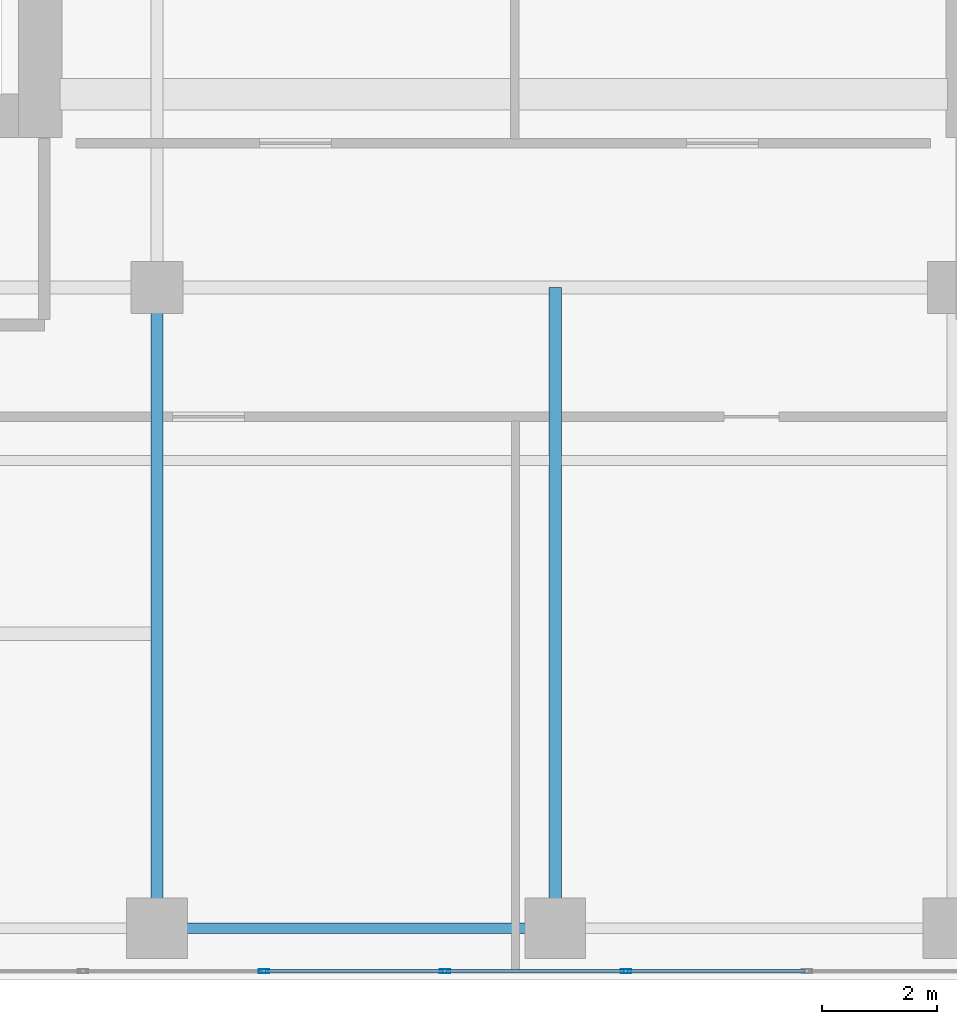
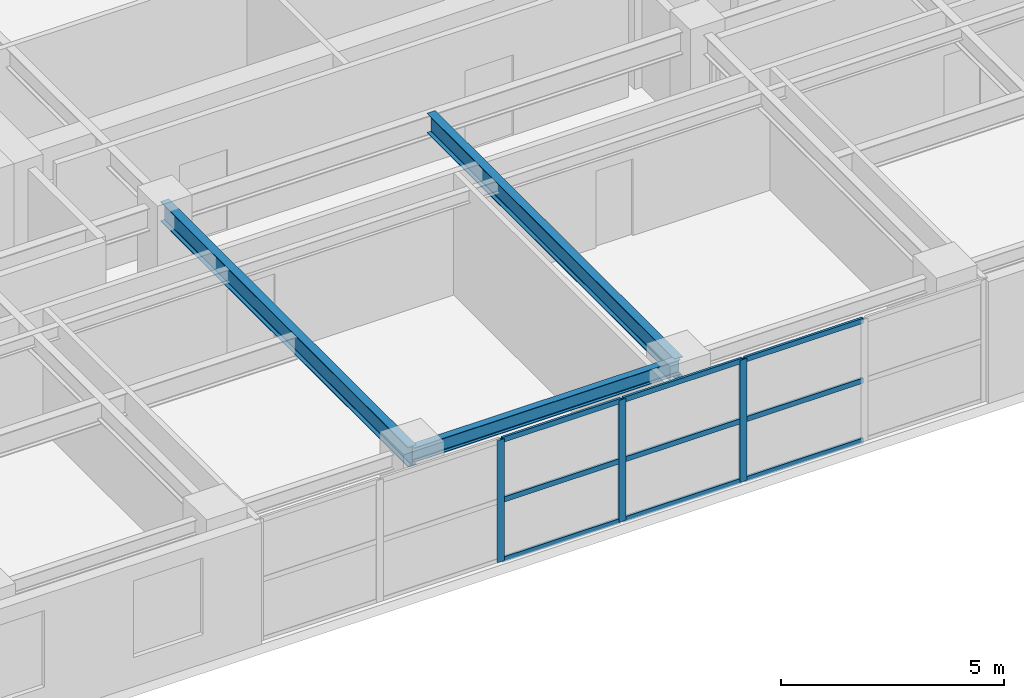
# One storey, part 4 of 18: 12 members, 3 beams, 1 element without a shape of its own.
"""IFC4 building model written with IfcOpenShell, lengths in metres."""

from ifc_helpers import new_model, si_unit, direction, frame, origin, origin_2d, place, context, subcontext, project, spatial, hollow_rectangle, i_section, extrude, source, transform, mapped, material, layer, layer_set, material_profile, profile_set, type_object, element, aggregate, save


model = new_model("IFC4")

# Units and contexts
model_context = context("Model", 3, precision=1e-05, world=origin(), true_north=direction((0.0, 1.0)))
body_context = subcontext(model_context, "Body", "Model", "MODEL_VIEW")
ifc_project = project(units=[si_unit("LENGTHUNIT", "METRE"), si_unit("AREAUNIT", "SQUARE_METRE"), si_unit("VOLUMEUNIT", "CUBIC_METRE"), si_unit("PLANEANGLEUNIT", "RADIAN"), si_unit("MASSUNIT", "GRAM", prefix="KILO")], contexts=[model_context])

# Site, building, storey
site_placement = place(None, origin())
site = spatial("IfcSite", under=ifc_project, at=site_placement, CompositionType="ELEMENT")
building_placement = place(site_placement, origin())
building = spatial("IfcBuilding", under=site, at=building_placement, Name="Khoralis Quay Care Tower", CompositionType="ELEMENT")
storey_placement = place(building_placement, frame((0.0, 0.0, 130.5)))
storey = spatial("IfcBuildingStorey", under=building, at=storey_placement, Name="L34", CompositionType="ELEMENT", Elevation=130.5)

# Beams
ifc_material_1 = material(Name="Steel S355", Category="steel")
ifc_material_profile_1 = material_profile(ifc_material_1, i_section(OverallWidth=0.179931640625, OverallDepth=0.39990234375, WebThickness=0.008544921875, FlangeThickness=0.013427734375, FilletRadius=0.02099609375, at=origin_2d()), Name="Steel S355")
ifc_profile_set_1 = profile_set([ifc_material_profile_1], Name="Steel S355")
beam_type_1 = type_object("IfcBeamType", Name="BM-IPE400", PredefinedType="SPANDREL", material=ifc_profile_set_1)
shared_shape_1 = source(origin(), body_context, "Body", "SweptSolid", [
    extrude(i_section(OverallWidth=0.179931640625, OverallDepth=0.39990234375, WebThickness=0.008544921875, FlangeThickness=0.013427734375, FilletRadius=0.02099609375, at=origin_2d()), origin(), (0.0, 0.0, 1.0), 6.89990234375),
])
beam_placement = place(storey_placement, frame((17.10009765625, 0.89990234375, 3.139892578125), z_axis=(1.0, 0.0, 0.0), x_axis=(0.0, 1.0, 0.0)))
element("IfcBeam", 1, at=beam_placement, inside=storey, type_object=beam_type_1, Name="BM-TSP-L34-03", PredefinedType="SPANDREL", context=body_context, shape_type="MappedRepresentation", body=[
    mapped(shared_shape_1, transform((0.0, 0.0, 0.0), scale=1.0)),
])
ifc_material_profile_2 = material_profile(ifc_material_1, i_section(OverallWidth=0.2119140625, OverallDepth=0.5439453125, WebThickness=0.01318359375, FlangeThickness=0.021240234375, FilletRadius=0.01611328125, at=origin_2d()), Name="Steel S355")
ifc_profile_set_2 = profile_set([ifc_material_profile_2], Name="Steel S355")
beam_type_2 = type_object("IfcBeamType", Name="BM-W530X123", PredefinedType="BEAM", material=ifc_profile_set_2)
shared_shape_2 = source(origin(), body_context, "Body", "SweptSolid", [
    extrude(i_section(OverallWidth=0.2119140625, OverallDepth=0.5439453125, WebThickness=0.01318359375, FlangeThickness=0.021240234375, FilletRadius=0.01611328125, at=origin_2d()), origin(), (0.0, 0.0, 1.0), 11.10009765625),
])
for number, where, z_axis, x_axis, name in (
    (2, (17.10009765625, 0.89990234375, 3.068115234375), (0.0, 1.0, 0.0), (-1.0, 0.0, 0.0), "BM-TGYS-L34-171"),
    (3, (24.0, 0.89990234375, 3.068115234375), (0.0, 1.0, 0.0), (-1.0, 0.0, 0.0), "BM-TGYS-L34-240"),
):
    element("IfcBeam", number, at=place(storey_placement, frame(where, z_axis=z_axis, x_axis=x_axis)), inside=storey, type_object=beam_type_2, Name=name, PredefinedType="BEAM", context=body_context, shape_type="MappedRepresentation", body=[
        mapped(shared_shape_2, transform((0.0, 0.0, 0.0), scale=1.0)),
    ])

# Curtain wall, members
ifc_material_2 = material(Name="Pale anodised aluminium", Category="aluminium")
ifc_layer = layer(ifc_material_2, 0.169921875)
ifc_layer_set = layer_set([ifc_layer], Name="Pale anodised aluminium")
curtain_wall_type = type_object("IfcCurtainWallType", Name="CW-SYS-Z2", PredefinedType="NOTDEFINED", material=ifc_layer_set)
curtain_wall_placement = place(storey_placement, origin())
curtain_wall = element("IfcCurtainWall", 4, at=curtain_wall_placement, inside=storey, type_object=curtain_wall_type, Name="L34 Unitised Curtain Wall CW-L34-P1-E0", PredefinedType="NOTDEFINED")
ifc_material_profile_3 = material_profile(ifc_material_2, hollow_rectangle(XDim=0.06494140625, YDim=0.179931640625, WallThickness=0.00390625, at=origin_2d()), Name="Pale anodised aluminium")
ifc_profile_set_3 = profile_set([ifc_material_profile_3], Name="Pale anodised aluminium")
member_type_1 = type_object("IfcMemberType", Name="CW-MUL-180", PredefinedType="MULLION", material=ifc_profile_set_3)
shared_shape_3 = source(origin(), body_context, "Body", "SweptSolid", [
    extrude(hollow_rectangle(XDim=0.06494140625, YDim=0.179931640625, WallThickness=0.00390625, at=origin_2d()), origin(), (0.0, 0.0, 1.0), 3.340087890625),
])
member_1_placement = place(storey_placement, frame((18.953369140625, 0.14990234375, 0.0), z_axis=(0.0, 0.0, 1.0), x_axis=(0.0, 1.0, 0.0)))
member_1 = element("IfcMember", 5, at=member_1_placement, type_object=member_type_1, Name="CW2 mullion 3", PredefinedType="MULLION", context=body_context, shape_type="MappedRepresentation", body=[
    mapped(shared_shape_3, transform((0.0, 0.0, 0.0), scale=1.0)),
])
member_2_placement = place(storey_placement, frame((22.090087890625, 0.14990234375, 0.0), z_axis=(0.0, 0.0, 1.0), x_axis=(0.0, 1.0, 0.0)))
member_2 = element("IfcMember", 6, at=member_2_placement, type_object=member_type_1, Name="CW2 mullion 4", PredefinedType="MULLION", context=body_context, shape_type="MappedRepresentation", body=[
    mapped(shared_shape_3, transform((0.0, 0.0, 0.0), scale=1.0)),
])
member_3_placement = place(storey_placement, frame((25.2265625, 0.14990234375, 0.0), z_axis=(0.0, 0.0, 1.0), x_axis=(0.0, 1.0, 0.0)))
member_3 = element("IfcMember", 7, at=member_3_placement, type_object=member_type_1, Name="CW2 mullion 5", PredefinedType="MULLION", context=body_context, shape_type="MappedRepresentation", body=[
    mapped(shared_shape_3, transform((0.0, 0.0, 0.0), scale=1.0)),
])
ifc_material_profile_4 = material_profile(ifc_material_2, hollow_rectangle(XDim=0.06005859375, YDim=0.139892578125, WallThickness=0.00390625, at=origin_2d()), Name="Pale anodised aluminium")
ifc_profile_set_4 = profile_set([ifc_material_profile_4], Name="Pale anodised aluminium")
member_type_2 = type_object("IfcMemberType", Name="CW-TRN-140", PredefinedType="USERDEFINED", material=ifc_profile_set_4)
shared_shape_4 = source(origin(), body_context, "Body", "SweptSolid", [
    extrude(hollow_rectangle(XDim=0.06005859375, YDim=0.139892578125, WallThickness=0.00390625, at=origin_2d()), origin(), (0.0, 0.0, 1.0), 3.07666015625),
])
member_4_placement = place(storey_placement, frame((18.9833984375, 0.14990234375, 0.030029296875), z_axis=(1.0, 0.0, 0.0), x_axis=(0.0, 1.0, 0.0)))
member_4 = element("IfcMember", 8, at=member_4_placement, type_object=member_type_2, Name="CW2 transom 3.1", ObjectType="TRANSOM", PredefinedType="USERDEFINED", context=body_context, shape_type="MappedRepresentation", body=[
    mapped(shared_shape_4, transform((0.0, 0.0, 0.0), scale=1.0)),
])
member_5_placement = place(storey_placement, frame((18.9833984375, 0.14990234375, 1.669921875), z_axis=(1.0, 0.0, 0.0), x_axis=(0.0, 1.0, 0.0)))
member_5 = element("IfcMember", 9, at=member_5_placement, type_object=member_type_2, Name="CW2 transom 3.2", ObjectType="TRANSOM", PredefinedType="USERDEFINED", context=body_context, shape_type="MappedRepresentation", body=[
    mapped(shared_shape_4, transform((0.0, 0.0, 0.0), scale=1.0)),
])
member_6_placement = place(storey_placement, frame((18.9833984375, 0.14990234375, 3.31005859375), z_axis=(1.0, 0.0, 0.0), x_axis=(0.0, 1.0, 0.0)))
member_6 = element("IfcMember", 10, at=member_6_placement, type_object=member_type_2, Name="CW2 transom 3.3", ObjectType="TRANSOM", PredefinedType="USERDEFINED", context=body_context, shape_type="MappedRepresentation", body=[
    mapped(shared_shape_4, transform((0.0, 0.0, 0.0), scale=1.0)),
])
member_7_placement = place(storey_placement, frame((22.1201171875, 0.14990234375, 0.030029296875), z_axis=(1.0, 0.0, 0.0), x_axis=(0.0, 1.0, 0.0)))
member_7 = element("IfcMember", 11, at=member_7_placement, type_object=member_type_2, Name="CW2 transom 4.1", ObjectType="TRANSOM", PredefinedType="USERDEFINED", context=body_context, shape_type="MappedRepresentation", body=[
    mapped(shared_shape_4, transform((0.0, 0.0, 0.0), scale=1.0)),
])
member_8_placement = place(storey_placement, frame((22.1201171875, 0.14990234375, 1.669921875), z_axis=(1.0, 0.0, 0.0), x_axis=(0.0, 1.0, 0.0)))
member_8 = element("IfcMember", 12, at=member_8_placement, type_object=member_type_2, Name="CW2 transom 4.2", ObjectType="TRANSOM", PredefinedType="USERDEFINED", context=body_context, shape_type="MappedRepresentation", body=[
    mapped(shared_shape_4, transform((0.0, 0.0, 0.0), scale=1.0)),
])
member_9_placement = place(storey_placement, frame((22.1201171875, 0.14990234375, 3.31005859375), z_axis=(1.0, 0.0, 0.0), x_axis=(0.0, 1.0, 0.0)))
member_9 = element("IfcMember", 13, at=member_9_placement, type_object=member_type_2, Name="CW2 transom 4.3", ObjectType="TRANSOM", PredefinedType="USERDEFINED", context=body_context, shape_type="MappedRepresentation", body=[
    mapped(shared_shape_4, transform((0.0, 0.0, 0.0), scale=1.0)),
])
member_10_placement = place(storey_placement, frame((25.256591796875, 0.14990234375, 0.030029296875), z_axis=(1.0, 0.0, 0.0), x_axis=(0.0, 1.0, 0.0)))
member_10 = element("IfcMember", 14, at=member_10_placement, type_object=member_type_2, Name="CW2 transom 5.1", ObjectType="TRANSOM", PredefinedType="USERDEFINED", context=body_context, shape_type="MappedRepresentation", body=[
    mapped(shared_shape_4, transform((0.0, 0.0, 0.0), scale=1.0)),
])
member_11_placement = place(storey_placement, frame((25.256591796875, 0.14990234375, 1.669921875), z_axis=(1.0, 0.0, 0.0), x_axis=(0.0, 1.0, 0.0)))
member_11 = element("IfcMember", 15, at=member_11_placement, type_object=member_type_2, Name="CW2 transom 5.2", ObjectType="TRANSOM", PredefinedType="USERDEFINED", context=body_context, shape_type="MappedRepresentation", body=[
    mapped(shared_shape_4, transform((0.0, 0.0, 0.0), scale=1.0)),
])
member_12_placement = place(storey_placement, frame((25.256591796875, 0.14990234375, 3.31005859375), z_axis=(1.0, 0.0, 0.0), x_axis=(0.0, 1.0, 0.0)))
member_12 = element("IfcMember", 16, at=member_12_placement, type_object=member_type_2, Name="CW2 transom 5.3", ObjectType="TRANSOM", PredefinedType="USERDEFINED", context=body_context, shape_type="MappedRepresentation", body=[
    mapped(shared_shape_4, transform((0.0, 0.0, 0.0), scale=1.0)),
])
aggregate(curtain_wall, [member_1, member_2, member_3, member_4, member_5, member_6, member_7, member_8, member_9, member_10, member_11, member_12])

save(model, "model.ifc")
